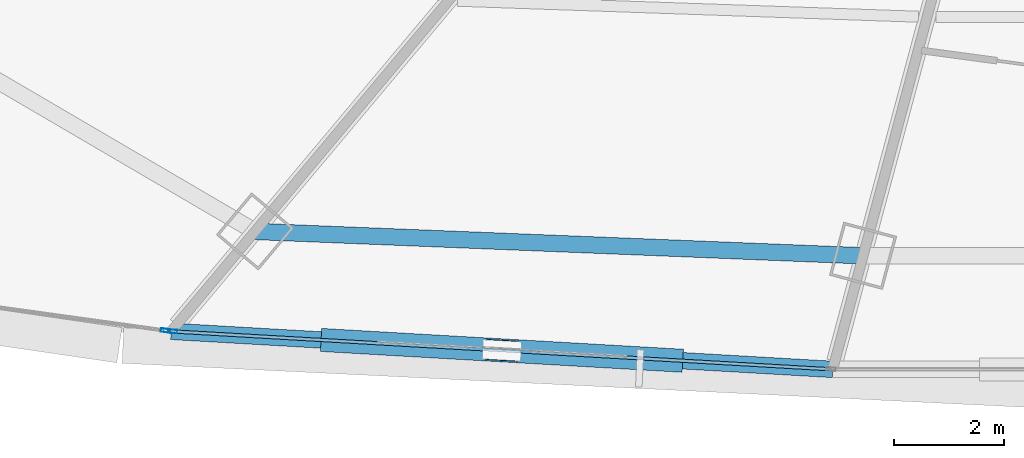
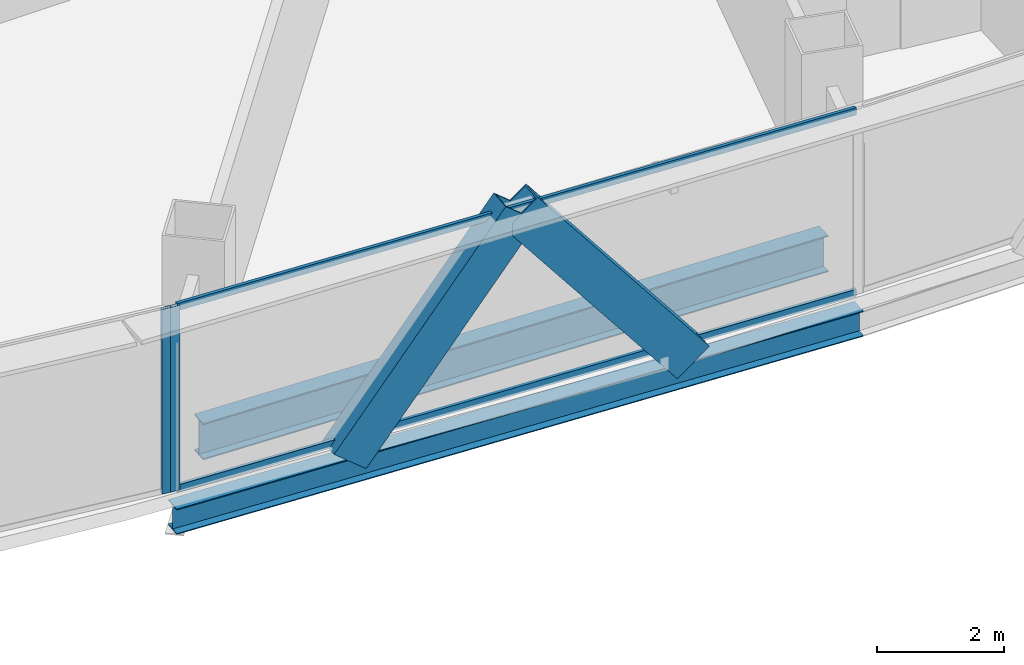
# One storey, part 6 of 37: 6 members, 2 beams, 2 elements without a shape of their own.
"""IFC4 building model written with IfcOpenShell, lengths in metres."""

from ifc_helpers import new_model, si_unit, direction, frame, origin, origin_2d, place, context, subcontext, project, spatial, hollow_rectangle, i_section, extrude, source, transform, mapped, material, layer, layer_set, material_profile, profile_set, type_object, element, aggregate, save


model = new_model("IFC4")

# Units and contexts
model_context = context("Model", 3, precision=1e-05, world=origin(), true_north=direction((0.0, 1.0)))
body_context = subcontext(model_context, "Body", "Model", "MODEL_VIEW")
ifc_project = project(units=[si_unit("LENGTHUNIT", "METRE"), si_unit("AREAUNIT", "SQUARE_METRE"), si_unit("VOLUMEUNIT", "CUBIC_METRE"), si_unit("PLANEANGLEUNIT", "RADIAN"), si_unit("MASSUNIT", "GRAM", prefix="KILO"), si_unit("THERMODYNAMICTEMPERATUREUNIT", "KELVIN"), si_unit("POWERUNIT", "WATT")], contexts=[model_context])

# Site, building, storey
site_placement = place(None, origin())
site = spatial("IfcSite", under=ifc_project, at=site_placement, CompositionType="ELEMENT")
building_placement = place(site_placement, origin())
building = spatial("IfcBuilding", under=site, at=building_placement, Name="Yunzhuo Pagoda Commons", CompositionType="ELEMENT")
storey_placement = place(building_placement, frame((0.0, 0.0, 84.97998046875)))
storey = spatial("IfcBuildingStorey", under=building, at=storey_placement, Name="L21", CompositionType="ELEMENT", Elevation=84.97998046875)

# Beams
ifc_material_1 = material(Name="Structural steel Q355B", Category="steel")
ifc_material_profile_1 = material_profile(ifc_material_1, i_section(OverallWidth=0.300048828125, OverallDepth=0.488037109375, WebThickness=0.010986328125, FlangeThickness=0.01806640625, at=origin_2d()), Name="Structural steel Q355B")
ifc_profile_set_1 = profile_set([ifc_material_profile_1], Name="Structural steel Q355B")
beam_type_1 = type_object("IfcBeamType", Name="B-SP1 Beam HM 488x300x11x18", PredefinedType="BEAM", material=ifc_profile_set_1)
shared_shape_1 = source(origin(), body_context, "Body", "SweptSolid", [
    extrude(i_section(OverallWidth=0.300048828125, OverallDepth=0.488037109375, WebThickness=0.010986328125, FlangeThickness=0.01806640625, at=origin_2d()), origin(), (0.0, 0.0, 1.0), 12.060791015625),
])
beam_1_placement = place(storey_placement, frame((30.037841796875, 12.293701171875, -0.50390625), z_axis=(0.99834961986, -0.057428534065, 0.0), x_axis=(0.057428534065, 0.99834961986, 0.0)))
element("IfcBeam", 1, at=beam_1_placement, inside=storey, type_object=beam_type_1, Name="L21 facade edge spandrel beam F1.1", PredefinedType="BEAM", context=body_context, shape_type="MappedRepresentation", body=[
    mapped(shared_shape_1, transform((0.0, 0.0, 0.0), scale=1.0)),
])
ifc_material_profile_2 = material_profile(ifc_material_1, i_section(OverallWidth=0.300048828125, OverallDepth=0.699951171875, WebThickness=0.012939453125, FlangeThickness=0.02392578125, at=origin_2d()), Name="Structural steel Q355B")
ifc_profile_set_2 = profile_set([ifc_material_profile_2], Name="Structural steel Q355B")
beam_type_2 = type_object("IfcBeamType", Name="B-RG1 Beam HN 700x300x13x24", PredefinedType="BEAM", material=ifc_profile_set_2)
shared_shape_2 = source(origin(), body_context, "Body", "SweptSolid", [
    extrude(i_section(OverallWidth=0.300048828125, OverallDepth=0.699951171875, WebThickness=0.012939453125, FlangeThickness=0.02392578125, at=origin_2d()), origin(), (0.0, 0.0, 1.0), 11.077392578125),
])
beam_2_placement = place(storey_placement, frame((31.56396484375, 14.1123046875, -0.60986328125), z_axis=(0.999196975427, -0.040067496776, 0.0), x_axis=(0.040067496776, 0.999196975427, 0.0)))
element("IfcBeam", 2, at=beam_2_placement, inside=storey, type_object=beam_type_2, Name="L21 column-ring beam 1", PredefinedType="BEAM", context=body_context, shape_type="MappedRepresentation", body=[
    mapped(shared_shape_2, transform((0.0, 0.0, 0.0), scale=1.0)),
])

# Members
ifc_material_2 = material(Name="Structural steel Q420B", Category="steel")
ifc_material_profile_3 = material_profile(ifc_material_2, hollow_rectangle(XDim=0.419921875, YDim=0.719970703125, WallThickness=0.028076171875, at=origin_2d()), Name="Structural steel Q420B")
ifc_profile_set_3 = profile_set([ifc_material_profile_3], Name="Structural steel Q420B")
member_type_1 = type_object("IfcMemberType", Name="M-DL1 Brace BOX 720x420x28", PredefinedType="BRACE", material=ifc_profile_set_3)
shared_shape_3 = source(origin(), body_context, "Body", "SweptSolid", [
    extrude(hollow_rectangle(XDim=0.419921875, YDim=0.719970703125, WallThickness=0.028076171875, at=origin_2d()), origin(), (0.0, 0.0, 1.0), 4.85107421875),
])
for number, where, z_axis, x_axis, name in (
    (3, (33.048095703125, 12.120849609375, -0.260009765625), (0.620520536001, -0.03573151505, 0.783375722903), (0.057487899777, 0.998346203168, 0.0), "L21 facade diamond brace F1.1L"),
    (4, (39.068359375, 11.774169921875, -0.260009765625), (-0.620489586315, 0.035732630893, 0.783400186599), (-0.057492547184, -0.998345935545, 0.0), "L21 facade diamond brace F1.1R"),
):
    element("IfcMember", number, at=place(storey_placement, frame(where, z_axis=z_axis, x_axis=x_axis)), inside=storey, type_object=member_type_1, Name=name, PredefinedType="BRACE", context=body_context, shape_type="MappedRepresentation", body=[
        mapped(shared_shape_3, transform((0.0, 0.0, 0.0), scale=1.0)),
    ])

# Curtain wall, member
ifc_material_3 = material(Name="Anodized aluminium 6063-T6", Category="aluminium")
ifc_layer = layer(ifc_material_3, 0.1650390625)
ifc_layer_set = layer_set([ifc_layer], Name="Anodized aluminium 6063-T6")
curtain_wall_type = type_object("IfcCurtainWallType", Name="CW-LOW Low-Zone Ribbon Curtain Wall", PredefinedType="NOTDEFINED", material=ifc_layer_set)
curtain_wall_1_placement = place(storey_placement, origin())
curtain_wall_1 = element("IfcCurtainWall", 5, at=curtain_wall_1_placement, inside=storey, type_object=curtain_wall_type, Name="L21 curtain wall CW-L21-F1B2", PredefinedType="NOTDEFINED")
ifc_material_profile_4 = material_profile(ifc_material_3, hollow_rectangle(XDim=0.06494140625, YDim=0.1650390625, WallThickness=0.00390625, at=origin_2d()), Name="Anodized aluminium 6063-T6")
ifc_profile_set_4 = profile_set([ifc_material_profile_4], Name="Anodized aluminium 6063-T6")
member_type_2 = type_object("IfcMemberType", Name="CW-LOW-M Mullion RHS 165x65x4", PredefinedType="MULLION", material=ifc_profile_set_4)
shared_shape_4 = source(origin(), body_context, "Body", "SweptSolid", [
    extrude(hollow_rectangle(XDim=0.06494140625, YDim=0.1650390625, WallThickness=0.00390625, at=origin_2d()), origin(), (0.0, 0.0, 1.0), 3.5400390625),
])
member_1_placement = place(storey_placement, frame((30.070556640625, 12.291748046875, 0.000244140625), z_axis=(0.0, 0.0, 1.0), x_axis=(0.057418382325, 0.998350203772, 0.0)))
member_1 = element("IfcMember", 6, at=member_1_placement, type_object=member_type_2, Name="CW mullion 1", PredefinedType="MULLION", context=body_context, shape_type="MappedRepresentation", body=[
    mapped(shared_shape_4, transform((0.0, 0.0, 0.0), scale=1.0)),
])

curtain_wall_2_placement = place(storey_placement, origin())
curtain_wall_2 = element("IfcCurtainWall", 7, at=curtain_wall_2_placement, inside=storey, type_object=curtain_wall_type, Name="L21 curtain wall CW-L21-F1B1", PredefinedType="NOTDEFINED")
member_2_placement = place(storey_placement, frame((29.931640625, 12.308349609375, 0.000244140625), z_axis=(0.0, 0.0, 1.0), x_axis=(0.137495700118, 0.990502363677, 0.0)))
member_2 = element("IfcMember", 8, at=member_2_placement, type_object=member_type_2, Name="CW mullion 2", PredefinedType="MULLION", context=body_context, shape_type="MappedRepresentation", body=[
    mapped(shared_shape_4, transform((0.0, 0.0, 0.0), scale=1.0)),
])
aggregate(curtain_wall_2, [member_2])

# Member
ifc_material_profile_5 = material_profile(ifc_material_3, hollow_rectangle(XDim=0.06005859375, YDim=0.139892578125, WallThickness=0.00341796875, at=origin_2d()), Name="Anodized aluminium 6063-T6")
ifc_profile_set_5 = profile_set([ifc_material_profile_5], Name="Anodized aluminium 6063-T6")
member_type_3 = type_object("IfcMemberType", Name="CW-LOW-T Transom RHS 140x60x3.5", PredefinedType="USERDEFINED", material=ifc_profile_set_5)
shared_shape_5 = source(origin(), body_context, "Body", "SweptSolid", [
    extrude(hollow_rectangle(XDim=0.06005859375, YDim=0.139892578125, WallThickness=0.00341796875, at=origin_2d()), origin(), (0.0, 0.0, 1.0), 11.9306640625),
])
member_3_placement = place(storey_placement, frame((30.102783203125, 12.289794921875, 0.030029296875), z_axis=(0.998350086209, -0.057420426382, 0.0), x_axis=(0.057420426382, 0.998350086209, 0.0)))
member_3 = element("IfcMember", 9, at=member_3_placement, type_object=member_type_3, Name="CW transom 1.1", ObjectType="TRANSOM", PredefinedType="USERDEFINED", context=body_context, shape_type="MappedRepresentation", body=[
    mapped(shared_shape_5, transform((0.0, 0.0, 0.0), scale=1.0)),
])

member_4_placement = place(storey_placement, frame((30.102783203125, 12.289794921875, 3.510009765625), z_axis=(0.998350086209, -0.057420426382, 0.0), x_axis=(0.057420426382, 0.998350086209, 0.0)))
member_4 = element("IfcMember", 10, at=member_4_placement, type_object=member_type_3, Name="CW transom 1.2", ObjectType="TRANSOM", PredefinedType="USERDEFINED", context=body_context, shape_type="MappedRepresentation", body=[
    mapped(shared_shape_5, transform((0.0, 0.0, 0.0), scale=1.0)),
])

aggregate(curtain_wall_1, [member_1, member_3, member_4])

save(model, "model.ifc")
